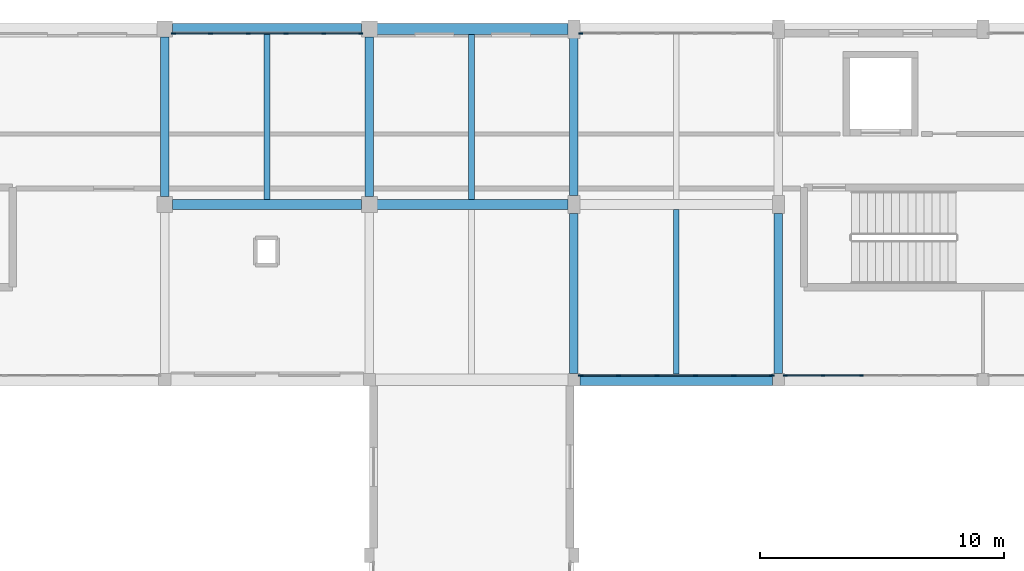
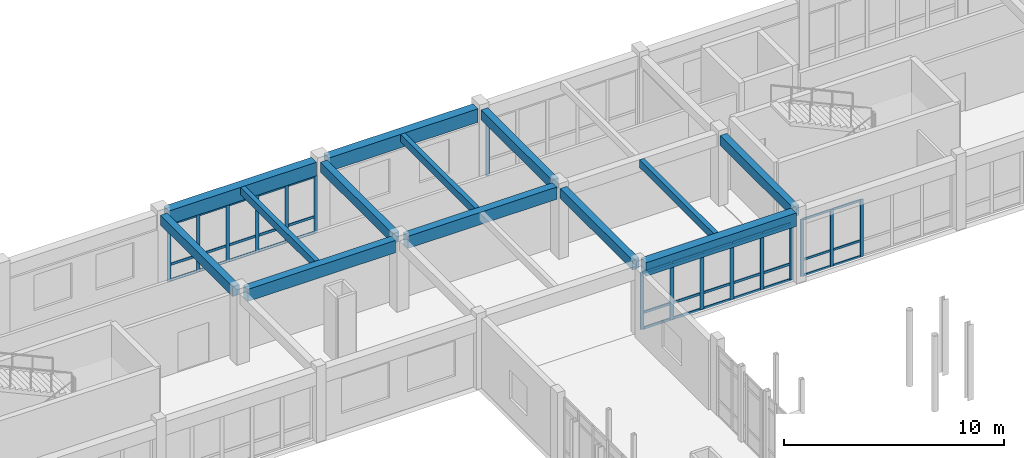
# One storey, part 48 of 89: 52 members, 13 beams, 4 elements without a shape of their own.
"""IFC4 building model written with IfcOpenShell, lengths in metres."""

import ifcopenshell
import ifcopenshell.guid

model = None  # the IFC model being written
_history = None  # IfcOwnerHistory: only IFC2X3 demands one
_inside = {}  # id of a spatial element -> (the spatial element, [elements in it])
_under = {}  # id of a project, library or spatial element -> (it, [spatial elements below it])
_declared = {}  # id of a project -> (the project, [libraries it declares])
_typed = {}  # id of a type object -> (the type object, [elements of that type])
_made_of = {}  # id of a material, layer set ... -> (it, [elements and type objects made of it])


def new_model(schema):
    """Start an empty IFC model of exactly this schema.

    Asked for "IFC4X3", IfcOpenShell would pick the latest addendum, in which some entities
    have other attributes; the version numbers below select the first issue.
    IFC2X3 requires an IfcOwnerHistory on every rooted entity: one is made here for all.
    """
    global model, _history
    if schema == "IFC4X3":
        model = ifcopenshell.file(schema_version=(4, 3, 0, 0))
    else:
        model = ifcopenshell.file(schema=schema)
    _inside.clear()
    _under.clear()
    _declared.clear()
    _typed.clear()
    _made_of.clear()
    _history = None
    if model.schema == "IFC2X3":
        org = make("IfcOrganization", Name="unknown")
        user = make(
            "IfcPersonAndOrganization",
            ThePerson=make("IfcPerson", FamilyName="unknown"),
            TheOrganization=org,
        )
        app = make(
            "IfcApplication",
            ApplicationDeveloper=org,
            Version="unknown",
            ApplicationFullName="unknown",
            ApplicationIdentifier="unknown",
        )
        _history = make(
            "IfcOwnerHistory",
            OwningUser=user,
            OwningApplication=app,
            ChangeAction="ADDED",
            CreationDate=0,
        )
    return model


def make(cls, **values):
    """One entity of the class cls with the attributes given. An attribute that is None is left unset."""
    return model.create_entity(
        cls, **{name: value for name, value in values.items() if value is not None}
    )


def rooted(cls, **values):
    """An entity with a GlobalId (a new one), such as an element, a storey or a relation."""
    return make(cls, GlobalId=ifcopenshell.guid.new(), OwnerHistory=_history, **values)


def si_unit(unit_type, name, prefix=None):
    """IfcSIUnit, for example si_unit("LENGTHUNIT", "METRE", prefix="MILLI")."""
    return make("IfcSIUnit", UnitType=unit_type, Prefix=prefix, Name=name)


def assignment(units):
    """IfcUnitAssignment: the units of a project."""
    return None if units is None else make("IfcUnitAssignment", Units=units)


def point(xyz):
    """IfcCartesianPoint."""
    return None if xyz is None else make("IfcCartesianPoint", Coordinates=xyz)


def direction(xyz):
    """IfcDirection."""
    return None if xyz is None else make("IfcDirection", DirectionRatios=xyz)


def frame(location, z_axis=None, x_axis=None):
    """IfcAxis2Placement3D, a coordinate frame: its origin and axes. An axis left out is left unset."""
    return make(
        "IfcAxis2Placement3D",
        Location=point(location),
        Axis=direction(z_axis),
        RefDirection=direction(x_axis),
    )


def frame_2d(location, x_axis=None):
    """IfcAxis2Placement2D, a coordinate frame in the plane: its origin and x axis."""
    return make(
        "IfcAxis2Placement2D", Location=point(location), RefDirection=direction(x_axis)
    )


def origin():
    """The frame at (0, 0, 0) with its axes left unset."""
    return frame((0.0, 0.0, 0.0))


def origin_2d():
    """The frame at (0, 0) in the plane with its x axis left unset."""
    return frame_2d((0.0, 0.0))


def place(relative_to, where):
    """IfcLocalPlacement: puts the frame where relative to a parent placement (None: the world)."""
    return make(
        "IfcLocalPlacement", PlacementRelTo=relative_to, RelativePlacement=where
    )


def context(
    kind, dimensions, precision=None, world=None, true_north=None, identifier=None
):
    """IfcGeometricRepresentationContext, for example the 3D "Model" context."""
    return make(
        "IfcGeometricRepresentationContext",
        ContextIdentifier=identifier,
        ContextType=kind,
        CoordinateSpaceDimension=dimensions,
        Precision=precision,
        WorldCoordinateSystem=world,
        TrueNorth=true_north,
    )


def subcontext(parent, identifier, kind, view, scale=None):
    """IfcGeometricRepresentationSubContext, for example "Body" below "Model"."""
    return make(
        "IfcGeometricRepresentationSubContext",
        ContextIdentifier=identifier,
        ContextType=kind,
        ParentContext=parent,
        TargetScale=scale,
        TargetView=view,
    )


def project(units=None, contexts=None):
    """IfcProject with its units and contexts."""
    return rooted(
        "IfcProject",
        Name="project",
        RepresentationContexts=contexts,
        UnitsInContext=assignment(units),
    )


def spatial(cls, under=None, at=None, **own):
    """A site, building, storey or space (cls), placed at a placement, below another one or the project."""
    s = rooted(cls, ObjectPlacement=at, **own)
    if under is not None:
        _under.setdefault(under.id(), (under, []))[1].append(s)
    return s


def profile(cls, at=None, kind="AREA", **sizes):
    """A parametric profile (cls). Its sizes go by their IFC names, for example OverallWidth=200.0."""
    return make(cls, ProfileType=kind, Position=at, **sizes)


def rectangle(**sizes):
    """IfcRectangleProfileDef."""
    return profile("IfcRectangleProfileDef", **sizes)


def extrude(swept, where, along, depth):
    """IfcExtrudedAreaSolid: the profile swept, set in the frame where, extruded along a direction by depth."""
    return make(
        "IfcExtrudedAreaSolid",
        SweptArea=swept,
        Position=where,
        ExtrudedDirection=direction(along),
        Depth=depth,
    )


def shape(context_of_items, identifier, shape_type, items):
    """IfcShapeRepresentation: the items that make up one representation, for example the "Body"."""
    return make(
        "IfcShapeRepresentation",
        ContextOfItems=context_of_items,
        RepresentationIdentifier=identifier,
        RepresentationType=shape_type,
        Items=items,
    )


def material(Name=None, Category=None):
    """IfcMaterial."""
    return make("IfcMaterial", Name=Name, Category=Category)


def material_profile(
    of_material, cross_section, Name=None, Category=None, Priority=None
):
    """IfcMaterialProfile: a cross section and its material."""
    return make(
        "IfcMaterialProfile",
        Name=Name,
        Material=of_material,
        Profile=cross_section,
        Priority=Priority,
        Category=Category,
    )


def profile_set(profiles, Name=None, composite=None):
    """IfcMaterialProfileSet."""
    return make(
        "IfcMaterialProfileSet",
        Name=Name,
        MaterialProfiles=profiles,
        CompositeProfile=composite,
    )


def made_of(thing, what):
    """Note that an element or type object is made of a material, layer set ...; save() writes the relation."""
    if what is not None:
        _made_of.setdefault(what.id(), (what, []))[1].append(thing)
    return thing


def type_object(cls, material=None, **own):
    """A type object (cls), such as IfcWallType, which elements share."""
    return made_of(rooted(cls, **own), material)


def element(
    cls,
    number,
    at=None,
    inside=None,
    cuts=None,
    type_object=None,
    material=None,
    context=None,
    identifier="Body",
    shape_type=None,
    held_by="IfcProductDefinitionShape",
    body=None,
    shapes=None,
    **own,
):
    """One element of the class cls, such as IfcWall. Its Tag is "e" and its number.

    at: its placement. inside: the storey or other place that contains it. cuts: it is an
    opening in that element (IfcRelVoidsElement). A single representation is given by context,
    identifier, shape_type and body (its items); several are given by shapes. held_by: the class
    of the entity that holds the representations. save() writes the other relations.
    """
    e = rooted(cls, Tag="e%d" % number, ObjectPlacement=at, **own)
    if body is not None:
        shapes = [shape(context, identifier, shape_type, body)]
    if shapes is not None:
        e.Representation = make(held_by, Representations=shapes)
    if inside is not None:
        _inside.setdefault(inside.id(), (inside, []))[1].append(e)
    if cuts is not None:
        rooted(
            "IfcRelVoidsElement", RelatingBuildingElement=cuts, RelatedOpeningElement=e
        )
    if type_object is not None:
        _typed.setdefault(type_object.id(), (type_object, []))[1].append(e)
    return made_of(e, material)


def aggregate(whole, parts):
    """IfcRelAggregates: a whole, such as a stair, and the parts it consists of."""
    return rooted("IfcRelAggregates", RelatingObject=whole, RelatedObjects=parts)


def save(model, path):
    """Write the relations noted so far, then the file.

    IfcRelAggregates (storeys below a building ...), IfcRelContainedInSpatialStructure (elements
    in a storey), IfcRelDefinesByType, IfcRelAssociatesMaterial and IfcRelDeclares: one each for
    every whole, place, type object, material and project.
    """
    for whole, parts in _under.values():
        aggregate(whole, parts)
    for where, things in _inside.values():
        rooted(
            "IfcRelContainedInSpatialStructure",
            RelatedElements=things,
            RelatingStructure=where,
        )
    for kind, things in _typed.values():
        rooted("IfcRelDefinesByType", RelatedObjects=things, RelatingType=kind)
    for what, things in _made_of.values():
        rooted("IfcRelAssociatesMaterial", RelatedObjects=things, RelatingMaterial=what)
    for by, libraries in _declared.values():
        rooted("IfcRelDeclares", RelatingContext=by, RelatedDefinitions=libraries)
    model.write(path)


model = new_model("IFC4")

# Units and contexts
model_context = context("Model", 3, precision=1e-05, world=origin(), true_north=direction((0.0, 1.0)))
body_context = subcontext(model_context, "Body", "Model", "MODEL_VIEW")
ifc_project = project(units=[si_unit("LENGTHUNIT", "METRE"), si_unit("AREAUNIT", "SQUARE_METRE"), si_unit("VOLUMEUNIT", "CUBIC_METRE"), si_unit("PLANEANGLEUNIT", "RADIAN"), si_unit("MASSUNIT", "GRAM", prefix="KILO")], contexts=[model_context])

# Site, building, storey
site_placement = place(None, origin())
site = spatial("IfcSite", under=ifc_project, at=site_placement, CompositionType="ELEMENT")
building_placement = place(site_placement, origin())
building = spatial("IfcBuilding", under=site, at=building_placement, Name="Malvenik Polytechnic", CompositionType="ELEMENT")
storey_placement = place(building_placement, frame((0.0, 0.0, 13.5)))
storey = spatial("IfcBuildingStorey", under=building, at=storey_placement, Name="L03", CompositionType="ELEMENT", Elevation=13.5)

# Curtain wall, member
ifc_material_1 = material(Name="Anodised aluminium 6060-T6", Category="aluminium")
curtain_wall_type = type_object("IfcCurtainWallType", Name="ARC-CW-CW-02", PredefinedType="NOTDEFINED", material=ifc_material_1)
curtain_wall_1_placement = place(storey_placement, origin())
curtain_wall_1 = element("IfcCurtainWall", 1, at=curtain_wall_1_placement, inside=storey, type_object=curtain_wall_type, Name="Unitised Curtain Wall CW-02 L03 #179", PredefinedType="NOTDEFINED")
ifc_material_2 = material(Name="Anodised aluminium", Category="aluminium")
ifc_material_profile_1 = material_profile(ifc_material_2, rectangle(XDim=0.06005859375, YDim=0.159912109375, at=origin_2d()), Name="ALU MULLION 60x160")
ifc_profile_set_1 = profile_set([ifc_material_profile_1], Name="Anodised aluminium")
member_type_1 = type_object("IfcMemberType", Name="ARC-CWM-160", PredefinedType="MULLION", material=ifc_profile_set_1)
member_1_placement = place(storey_placement, frame((84.278076171875, 129.429931640625, 0.0), z_axis=(0.0, 0.0, 1.0), x_axis=(0.0, 1.0, 0.0)))
member_1 = element("IfcMember", 2, at=member_1_placement, type_object=member_type_1, Name="CW-02 mullion 1", PredefinedType="MULLION", context=body_context, shape_type="SweptSolid", body=[
    extrude(rectangle(XDim=0.06005859375, YDim=0.159912109375, at=origin_2d()), origin(), (0.0, 0.0, 1.0), 3.159912109375),
])
aggregate(curtain_wall_1, [member_1])

# Curtain wall, members
curtain_wall_2_placement = place(storey_placement, origin())
curtain_wall_2 = element("IfcCurtainWall", 3, at=curtain_wall_2_placement, inside=storey, type_object=curtain_wall_type, Name="Unitised Curtain Wall CW-02 L03 #185", PredefinedType="NOTDEFINED")
member_2_placement = place(storey_placement, frame((95.8095703125, 115.3701171875, 0.0), z_axis=(0.0, 0.0, 1.0), x_axis=(0.0, -1.0, 0.0)))
member_2 = element("IfcMember", 4, at=member_2_placement, type_object=member_type_1, Name="CW-02 mullion 4", PredefinedType="MULLION", context=body_context, shape_type="SweptSolid", body=[
    extrude(rectangle(XDim=0.06005859375, YDim=0.159912109375, at=origin_2d()), origin(), (0.0, 0.0, 1.0), 3.159912109375),
])
member_3_placement = place(storey_placement, frame((94.228759765625, 115.3701171875, 0.0), z_axis=(0.0, 0.0, 1.0), x_axis=(0.0, -1.0, 0.0)))
member_3 = element("IfcMember", 5, at=member_3_placement, type_object=member_type_1, Name="CW-02 mullion 5", PredefinedType="MULLION", context=body_context, shape_type="SweptSolid", body=[
    extrude(rectangle(XDim=0.06005859375, YDim=0.159912109375, at=origin_2d()), origin(), (0.0, 0.0, 1.0), 3.159912109375),
])
member_4_placement = place(storey_placement, frame((92.677978515625, 115.3701171875, 0.0), z_axis=(0.0, 0.0, 1.0), x_axis=(0.0, -1.0, 0.0)))
member_4 = element("IfcMember", 6, at=member_4_placement, type_object=member_type_1, Name="CW-02 mullion 6", PredefinedType="MULLION", context=body_context, shape_type="SweptSolid", body=[
    extrude(rectangle(XDim=0.06005859375, YDim=0.159912109375, at=origin_2d()), origin(), (0.0, 0.0, 1.0), 3.159912109375),
])

curtain_wall_3_placement = place(storey_placement, origin())
curtain_wall_3 = element("IfcCurtainWall", 7, at=curtain_wall_3_placement, inside=storey, type_object=curtain_wall_type, Name="Unitised Curtain Wall CW-02 L03 #178", PredefinedType="NOTDEFINED")
ifc_material_profile_2 = material_profile(ifc_material_2, rectangle(XDim=0.06005859375, YDim=0.179931640625, at=origin_2d()), Name="ALU MULLION 60x180")
ifc_profile_set_2 = profile_set([ifc_material_profile_2], Name="Anodised aluminium")
member_type_2 = type_object("IfcMemberType", Name="ARC-CWM-180", PredefinedType="MULLION", material=ifc_profile_set_2)
member_5_placement = place(storey_placement, frame((67.552978515625, 129.429931640625, 0.0), z_axis=(0.0, 0.0, 1.0), x_axis=(0.0, 1.0, 0.0)))
member_5 = element("IfcMember", 8, at=member_5_placement, type_object=member_type_2, Name="CW-02 mullion 1", PredefinedType="MULLION", context=body_context, shape_type="SweptSolid", body=[
    extrude(rectangle(XDim=0.06005859375, YDim=0.179931640625, at=origin_2d()), origin(), (0.0, 0.0, 1.0), 3.159912109375),
])
member_6_placement = place(storey_placement, frame((69.07373046875, 129.429931640625, 0.0), z_axis=(0.0, 0.0, 1.0), x_axis=(0.0, 1.0, 0.0)))
member_6 = element("IfcMember", 9, at=member_6_placement, type_object=member_type_2, Name="CW-02 mullion 2", PredefinedType="MULLION", context=body_context, shape_type="SweptSolid", body=[
    extrude(rectangle(XDim=0.06005859375, YDim=0.179931640625, at=origin_2d()), origin(), (0.0, 0.0, 1.0), 3.159912109375),
])
member_7_placement = place(storey_placement, frame((70.62451171875, 129.429931640625, 0.0), z_axis=(0.0, 0.0, 1.0), x_axis=(0.0, 1.0, 0.0)))
member_7 = element("IfcMember", 10, at=member_7_placement, type_object=member_type_2, Name="CW-02 mullion 3", PredefinedType="MULLION", context=body_context, shape_type="SweptSolid", body=[
    extrude(rectangle(XDim=0.06005859375, YDim=0.179931640625, at=origin_2d()), origin(), (0.0, 0.0, 1.0), 3.159912109375),
])
member_8_placement = place(storey_placement, frame((72.17529296875, 129.429931640625, 0.0), z_axis=(0.0, 0.0, 1.0), x_axis=(0.0, 1.0, 0.0)))
member_8 = element("IfcMember", 11, at=member_8_placement, type_object=member_type_2, Name="CW-02 mullion 4", PredefinedType="MULLION", context=body_context, shape_type="SweptSolid", body=[
    extrude(rectangle(XDim=0.06005859375, YDim=0.179931640625, at=origin_2d()), origin(), (0.0, 0.0, 1.0), 3.159912109375),
])
member_9_placement = place(storey_placement, frame((73.726318359375, 129.429931640625, 0.0), z_axis=(0.0, 0.0, 1.0), x_axis=(0.0, 1.0, 0.0)))
member_9 = element("IfcMember", 12, at=member_9_placement, type_object=member_type_2, Name="CW-02 mullion 5", PredefinedType="MULLION", context=body_context, shape_type="SweptSolid", body=[
    extrude(rectangle(XDim=0.06005859375, YDim=0.179931640625, at=origin_2d()), origin(), (0.0, 0.0, 1.0), 3.159912109375),
])
member_10_placement = place(storey_placement, frame((75.2470703125, 129.429931640625, 0.0), z_axis=(0.0, 0.0, 1.0), x_axis=(0.0, 1.0, 0.0)))
member_10 = element("IfcMember", 13, at=member_10_placement, type_object=member_type_2, Name="CW-02 mullion 6", PredefinedType="MULLION", context=body_context, shape_type="SweptSolid", body=[
    extrude(rectangle(XDim=0.06005859375, YDim=0.179931640625, at=origin_2d()), origin(), (0.0, 0.0, 1.0), 3.159912109375),
])

curtain_wall_4_placement = place(storey_placement, origin())
curtain_wall_4 = element("IfcCurtainWall", 14, at=curtain_wall_4_placement, inside=storey, type_object=curtain_wall_type, Name="Unitised Curtain Wall CW-02 L03 #186", PredefinedType="NOTDEFINED")
ifc_material_profile_3 = material_profile(ifc_material_2, rectangle(XDim=0.06005859375, YDim=0.199951171875, at=origin_2d()), Name="ALU MULLION 60x200")
ifc_profile_set_3 = profile_set([ifc_material_profile_3], Name="Anodised aluminium")
member_type_3 = type_object("IfcMemberType", Name="ARC-CWM-200", PredefinedType="MULLION", material=ifc_profile_set_3)
member_11_placement = place(storey_placement, frame((92.1220703125, 115.3701171875, 0.0), z_axis=(0.0, 0.0, 1.0), x_axis=(0.0, -1.0, 0.0)))
member_11 = element("IfcMember", 15, at=member_11_placement, type_object=member_type_3, Name="CW-02 mullion 1", PredefinedType="MULLION", context=body_context, shape_type="SweptSolid", body=[
    extrude(rectangle(XDim=0.06005859375, YDim=0.199951171875, at=origin_2d()), origin(), (0.0, 0.0, 1.0), 3.159912109375),
])
member_12_placement = place(storey_placement, frame((90.5712890625, 115.3701171875, 0.0), z_axis=(0.0, 0.0, 1.0), x_axis=(0.0, -1.0, 0.0)))
member_12 = element("IfcMember", 16, at=member_12_placement, type_object=member_type_3, Name="CW-02 mullion 2", PredefinedType="MULLION", context=body_context, shape_type="SweptSolid", body=[
    extrude(rectangle(XDim=0.06005859375, YDim=0.199951171875, at=origin_2d()), origin(), (0.0, 0.0, 1.0), 3.159912109375),
])
member_13_placement = place(storey_placement, frame((88.990478515625, 115.3701171875, 0.0), z_axis=(0.0, 0.0, 1.0), x_axis=(0.0, -1.0, 0.0)))
member_13 = element("IfcMember", 17, at=member_13_placement, type_object=member_type_3, Name="CW-02 mullion 3", PredefinedType="MULLION", context=body_context, shape_type="SweptSolid", body=[
    extrude(rectangle(XDim=0.06005859375, YDim=0.199951171875, at=origin_2d()), origin(), (0.0, 0.0, 1.0), 3.159912109375),
])
member_14_placement = place(storey_placement, frame((87.40966796875, 115.3701171875, 0.0), z_axis=(0.0, 0.0, 1.0), x_axis=(0.0, -1.0, 0.0)))
member_14 = element("IfcMember", 18, at=member_14_placement, type_object=member_type_3, Name="CW-02 mullion 4", PredefinedType="MULLION", context=body_context, shape_type="SweptSolid", body=[
    extrude(rectangle(XDim=0.06005859375, YDim=0.199951171875, at=origin_2d()), origin(), (0.0, 0.0, 1.0), 3.159912109375),
])
member_15_placement = place(storey_placement, frame((85.828857421875, 115.3701171875, 0.0), z_axis=(0.0, 0.0, 1.0), x_axis=(0.0, -1.0, 0.0)))
member_15 = element("IfcMember", 19, at=member_15_placement, type_object=member_type_3, Name="CW-02 mullion 5", PredefinedType="MULLION", context=body_context, shape_type="SweptSolid", body=[
    extrude(rectangle(XDim=0.06005859375, YDim=0.199951171875, at=origin_2d()), origin(), (0.0, 0.0, 1.0), 3.159912109375),
])
member_16_placement = place(storey_placement, frame((84.278076171875, 115.3701171875, 0.0), z_axis=(0.0, 0.0, 1.0), x_axis=(0.0, -1.0, 0.0)))
member_16 = element("IfcMember", 20, at=member_16_placement, type_object=member_type_3, Name="CW-02 mullion 6", PredefinedType="MULLION", context=body_context, shape_type="SweptSolid", body=[
    extrude(rectangle(XDim=0.06005859375, YDim=0.199951171875, at=origin_2d()), origin(), (0.0, 0.0, 1.0), 3.159912109375),
])

# Member
ifc_material_profile_4 = material_profile(ifc_material_2, rectangle(XDim=0.06005859375, YDim=0.1201171875, at=origin_2d()), Name="ALU TRANSOM 60x120")
ifc_profile_set_4 = profile_set([ifc_material_profile_4], Name="Anodised aluminium")
member_type_4 = type_object("IfcMemberType", Name="ARC-CWT-120", PredefinedType="USERDEFINED", material=ifc_profile_set_4)
member_17_placement = place(storey_placement, frame((95.779541015625, 115.3701171875, 0.030029296875), z_axis=(-1.0, 0.0, 0.0), x_axis=(0.0, -1.0, 0.0)))
member_17 = element("IfcMember", 21, at=member_17_placement, type_object=member_type_4, Name="CW-02 transom 4.1", ObjectType="TRANSOM", PredefinedType="USERDEFINED", context=body_context, shape_type="SweptSolid", body=[
    extrude(rectangle(XDim=0.06005859375, YDim=0.1201171875, at=origin_2d()), origin(), (0.0, 0.0, 1.0), 1.520751953125),
])

member_18_placement = place(storey_placement, frame((95.779541015625, 115.3701171875, 0.89990234375), z_axis=(-1.0, 0.0, 0.0), x_axis=(0.0, -1.0, 0.0)))
member_18 = element("IfcMember", 22, at=member_18_placement, type_object=member_type_4, Name="CW-02 transom 4.2", ObjectType="TRANSOM", PredefinedType="USERDEFINED", context=body_context, shape_type="SweptSolid", body=[
    extrude(rectangle(XDim=0.06005859375, YDim=0.1201171875, at=origin_2d()), origin(), (0.0, 0.0, 1.0), 1.520751953125),
])

member_19_placement = place(storey_placement, frame((95.779541015625, 115.3701171875, 3.1298828125), z_axis=(-1.0, 0.0, 0.0), x_axis=(0.0, -1.0, 0.0)))
member_19 = element("IfcMember", 23, at=member_19_placement, type_object=member_type_4, Name="CW-02 transom 4.3", ObjectType="TRANSOM", PredefinedType="USERDEFINED", context=body_context, shape_type="SweptSolid", body=[
    extrude(rectangle(XDim=0.06005859375, YDim=0.1201171875, at=origin_2d()), origin(), (0.0, 0.0, 1.0), 1.520751953125),
])

member_20_placement = place(storey_placement, frame((94.19873046875, 115.3701171875, 0.030029296875), z_axis=(-1.0, 0.0, 0.0), x_axis=(0.0, -1.0, 0.0)))
member_20 = element("IfcMember", 24, at=member_20_placement, type_object=member_type_4, Name="CW-02 transom 5.1", ObjectType="TRANSOM", PredefinedType="USERDEFINED", context=body_context, shape_type="SweptSolid", body=[
    extrude(rectangle(XDim=0.06005859375, YDim=0.1201171875, at=origin_2d()), origin(), (0.0, 0.0, 1.0), 1.49072265625),
])

member_21_placement = place(storey_placement, frame((94.19873046875, 115.3701171875, 0.89990234375), z_axis=(-1.0, 0.0, 0.0), x_axis=(0.0, -1.0, 0.0)))
member_21 = element("IfcMember", 25, at=member_21_placement, type_object=member_type_4, Name="CW-02 transom 5.2", ObjectType="TRANSOM", PredefinedType="USERDEFINED", context=body_context, shape_type="SweptSolid", body=[
    extrude(rectangle(XDim=0.06005859375, YDim=0.1201171875, at=origin_2d()), origin(), (0.0, 0.0, 1.0), 1.49072265625),
])

member_22_placement = place(storey_placement, frame((94.19873046875, 115.3701171875, 3.1298828125), z_axis=(-1.0, 0.0, 0.0), x_axis=(0.0, -1.0, 0.0)))
member_22 = element("IfcMember", 26, at=member_22_placement, type_object=member_type_4, Name="CW-02 transom 5.3", ObjectType="TRANSOM", PredefinedType="USERDEFINED", context=body_context, shape_type="SweptSolid", body=[
    extrude(rectangle(XDim=0.06005859375, YDim=0.1201171875, at=origin_2d()), origin(), (0.0, 0.0, 1.0), 1.49072265625),
])

aggregate(curtain_wall_2, [member_2, member_3, member_4, member_17, member_18, member_19, member_20, member_21, member_22])

ifc_material_profile_5 = material_profile(ifc_material_2, rectangle(XDim=0.06005859375, YDim=0.139892578125, at=origin_2d()), Name="ALU TRANSOM 60x140")
ifc_profile_set_5 = profile_set([ifc_material_profile_5], Name="Anodised aluminium")
member_type_5 = type_object("IfcMemberType", Name="ARC-CWT-140", PredefinedType="USERDEFINED", material=ifc_profile_set_5)
member_23_placement = place(storey_placement, frame((67.5830078125, 129.429931640625, 0.030029296875), z_axis=(1.0, 0.0, 0.0), x_axis=(0.0, 1.0, 0.0)))
member_23 = element("IfcMember", 27, at=member_23_placement, type_object=member_type_5, Name="CW-02 transom 1.1", ObjectType="TRANSOM", PredefinedType="USERDEFINED", context=body_context, shape_type="SweptSolid", body=[
    extrude(rectangle(XDim=0.06005859375, YDim=0.139892578125, at=origin_2d()), origin(), (0.0, 0.0, 1.0), 1.460693359375),
])

member_24_placement = place(storey_placement, frame((67.5830078125, 129.429931640625, 0.89990234375), z_axis=(1.0, 0.0, 0.0), x_axis=(0.0, 1.0, 0.0)))
member_24 = element("IfcMember", 28, at=member_24_placement, type_object=member_type_5, Name="CW-02 transom 1.2", ObjectType="TRANSOM", PredefinedType="USERDEFINED", context=body_context, shape_type="SweptSolid", body=[
    extrude(rectangle(XDim=0.06005859375, YDim=0.139892578125, at=origin_2d()), origin(), (0.0, 0.0, 1.0), 1.460693359375),
])

member_25_placement = place(storey_placement, frame((67.5830078125, 129.429931640625, 3.1298828125), z_axis=(1.0, 0.0, 0.0), x_axis=(0.0, 1.0, 0.0)))
member_25 = element("IfcMember", 29, at=member_25_placement, type_object=member_type_5, Name="CW-02 transom 1.3", ObjectType="TRANSOM", PredefinedType="USERDEFINED", context=body_context, shape_type="SweptSolid", body=[
    extrude(rectangle(XDim=0.06005859375, YDim=0.139892578125, at=origin_2d()), origin(), (0.0, 0.0, 1.0), 1.460693359375),
])

member_26_placement = place(storey_placement, frame((69.103759765625, 129.429931640625, 0.030029296875), z_axis=(1.0, 0.0, 0.0), x_axis=(0.0, 1.0, 0.0)))
member_26 = element("IfcMember", 30, at=member_26_placement, type_object=member_type_5, Name="CW-02 transom 2.1", ObjectType="TRANSOM", PredefinedType="USERDEFINED", context=body_context, shape_type="SweptSolid", body=[
    extrude(rectangle(XDim=0.06005859375, YDim=0.139892578125, at=origin_2d()), origin(), (0.0, 0.0, 1.0), 1.49072265625),
])

member_27_placement = place(storey_placement, frame((69.103759765625, 129.429931640625, 0.89990234375), z_axis=(1.0, 0.0, 0.0), x_axis=(0.0, 1.0, 0.0)))
member_27 = element("IfcMember", 31, at=member_27_placement, type_object=member_type_5, Name="CW-02 transom 2.2", ObjectType="TRANSOM", PredefinedType="USERDEFINED", context=body_context, shape_type="SweptSolid", body=[
    extrude(rectangle(XDim=0.06005859375, YDim=0.139892578125, at=origin_2d()), origin(), (0.0, 0.0, 1.0), 1.49072265625),
])

member_28_placement = place(storey_placement, frame((69.103759765625, 129.429931640625, 3.1298828125), z_axis=(1.0, 0.0, 0.0), x_axis=(0.0, 1.0, 0.0)))
member_28 = element("IfcMember", 32, at=member_28_placement, type_object=member_type_5, Name="CW-02 transom 2.3", ObjectType="TRANSOM", PredefinedType="USERDEFINED", context=body_context, shape_type="SweptSolid", body=[
    extrude(rectangle(XDim=0.06005859375, YDim=0.139892578125, at=origin_2d()), origin(), (0.0, 0.0, 1.0), 1.49072265625),
])

member_29_placement = place(storey_placement, frame((70.654541015625, 129.429931640625, 0.030029296875), z_axis=(1.0, 0.0, 0.0), x_axis=(0.0, 1.0, 0.0)))
member_29 = element("IfcMember", 33, at=member_29_placement, type_object=member_type_5, Name="CW-02 transom 3.1", ObjectType="TRANSOM", PredefinedType="USERDEFINED", context=body_context, shape_type="SweptSolid", body=[
    extrude(rectangle(XDim=0.06005859375, YDim=0.139892578125, at=origin_2d()), origin(), (0.0, 0.0, 1.0), 1.490966796875),
])

member_30_placement = place(storey_placement, frame((70.654541015625, 129.429931640625, 0.89990234375), z_axis=(1.0, 0.0, 0.0), x_axis=(0.0, 1.0, 0.0)))
member_30 = element("IfcMember", 34, at=member_30_placement, type_object=member_type_5, Name="CW-02 transom 3.2", ObjectType="TRANSOM", PredefinedType="USERDEFINED", context=body_context, shape_type="SweptSolid", body=[
    extrude(rectangle(XDim=0.06005859375, YDim=0.139892578125, at=origin_2d()), origin(), (0.0, 0.0, 1.0), 1.490966796875),
])

member_31_placement = place(storey_placement, frame((70.654541015625, 129.429931640625, 3.1298828125), z_axis=(1.0, 0.0, 0.0), x_axis=(0.0, 1.0, 0.0)))
member_31 = element("IfcMember", 35, at=member_31_placement, type_object=member_type_5, Name="CW-02 transom 3.3", ObjectType="TRANSOM", PredefinedType="USERDEFINED", context=body_context, shape_type="SweptSolid", body=[
    extrude(rectangle(XDim=0.06005859375, YDim=0.139892578125, at=origin_2d()), origin(), (0.0, 0.0, 1.0), 1.490966796875),
])

member_32_placement = place(storey_placement, frame((72.205322265625, 129.429931640625, 0.030029296875), z_axis=(1.0, 0.0, 0.0), x_axis=(0.0, 1.0, 0.0)))
member_32 = element("IfcMember", 36, at=member_32_placement, type_object=member_type_5, Name="CW-02 transom 4.1", ObjectType="TRANSOM", PredefinedType="USERDEFINED", context=body_context, shape_type="SweptSolid", body=[
    extrude(rectangle(XDim=0.06005859375, YDim=0.139892578125, at=origin_2d()), origin(), (0.0, 0.0, 1.0), 1.490966796875),
])

member_33_placement = place(storey_placement, frame((72.205322265625, 129.429931640625, 0.89990234375), z_axis=(1.0, 0.0, 0.0), x_axis=(0.0, 1.0, 0.0)))
member_33 = element("IfcMember", 37, at=member_33_placement, type_object=member_type_5, Name="CW-02 transom 4.2", ObjectType="TRANSOM", PredefinedType="USERDEFINED", context=body_context, shape_type="SweptSolid", body=[
    extrude(rectangle(XDim=0.06005859375, YDim=0.139892578125, at=origin_2d()), origin(), (0.0, 0.0, 1.0), 1.490966796875),
])

member_34_placement = place(storey_placement, frame((72.205322265625, 129.429931640625, 3.1298828125), z_axis=(1.0, 0.0, 0.0), x_axis=(0.0, 1.0, 0.0)))
member_34 = element("IfcMember", 38, at=member_34_placement, type_object=member_type_5, Name="CW-02 transom 4.3", ObjectType="TRANSOM", PredefinedType="USERDEFINED", context=body_context, shape_type="SweptSolid", body=[
    extrude(rectangle(XDim=0.06005859375, YDim=0.139892578125, at=origin_2d()), origin(), (0.0, 0.0, 1.0), 1.490966796875),
])

member_35_placement = place(storey_placement, frame((73.756103515625, 129.429931640625, 0.030029296875), z_axis=(1.0, 0.0, 0.0), x_axis=(0.0, 1.0, 0.0)))
member_35 = element("IfcMember", 39, at=member_35_placement, type_object=member_type_5, Name="CW-02 transom 5.1", ObjectType="TRANSOM", PredefinedType="USERDEFINED", context=body_context, shape_type="SweptSolid", body=[
    extrude(rectangle(XDim=0.06005859375, YDim=0.139892578125, at=origin_2d()), origin(), (0.0, 0.0, 1.0), 1.4609375),
])

member_36_placement = place(storey_placement, frame((73.756103515625, 129.429931640625, 0.89990234375), z_axis=(1.0, 0.0, 0.0), x_axis=(0.0, 1.0, 0.0)))
member_36 = element("IfcMember", 40, at=member_36_placement, type_object=member_type_5, Name="CW-02 transom 5.2", ObjectType="TRANSOM", PredefinedType="USERDEFINED", context=body_context, shape_type="SweptSolid", body=[
    extrude(rectangle(XDim=0.06005859375, YDim=0.139892578125, at=origin_2d()), origin(), (0.0, 0.0, 1.0), 1.4609375),
])

member_37_placement = place(storey_placement, frame((73.756103515625, 129.429931640625, 3.1298828125), z_axis=(1.0, 0.0, 0.0), x_axis=(0.0, 1.0, 0.0)))
member_37 = element("IfcMember", 41, at=member_37_placement, type_object=member_type_5, Name="CW-02 transom 5.3", ObjectType="TRANSOM", PredefinedType="USERDEFINED", context=body_context, shape_type="SweptSolid", body=[
    extrude(rectangle(XDim=0.06005859375, YDim=0.139892578125, at=origin_2d()), origin(), (0.0, 0.0, 1.0), 1.4609375),
])

aggregate(curtain_wall_3, [member_5, member_6, member_7, member_8, member_9, member_10, member_23, member_24, member_25, member_26, member_27, member_28, member_29, member_30, member_31, member_32, member_33, member_34, member_35, member_36, member_37])

member_38_placement = place(storey_placement, frame((92.092041015625, 115.3701171875, 0.030029296875), z_axis=(-1.0, 0.0, 0.0), x_axis=(0.0, -1.0, 0.0)))
member_38 = element("IfcMember", 42, at=member_38_placement, type_object=member_type_5, Name="CW-02 transom 1.1", ObjectType="TRANSOM", PredefinedType="USERDEFINED", context=body_context, shape_type="SweptSolid", body=[
    extrude(rectangle(XDim=0.06005859375, YDim=0.139892578125, at=origin_2d()), origin(), (0.0, 0.0, 1.0), 1.49072265625),
])

member_39_placement = place(storey_placement, frame((92.092041015625, 115.3701171875, 0.89990234375), z_axis=(-1.0, 0.0, 0.0), x_axis=(0.0, -1.0, 0.0)))
member_39 = element("IfcMember", 43, at=member_39_placement, type_object=member_type_5, Name="CW-02 transom 1.2", ObjectType="TRANSOM", PredefinedType="USERDEFINED", context=body_context, shape_type="SweptSolid", body=[
    extrude(rectangle(XDim=0.06005859375, YDim=0.139892578125, at=origin_2d()), origin(), (0.0, 0.0, 1.0), 1.49072265625),
])

member_40_placement = place(storey_placement, frame((92.092041015625, 115.3701171875, 3.1298828125), z_axis=(-1.0, 0.0, 0.0), x_axis=(0.0, -1.0, 0.0)))
member_40 = element("IfcMember", 44, at=member_40_placement, type_object=member_type_5, Name="CW-02 transom 1.3", ObjectType="TRANSOM", PredefinedType="USERDEFINED", context=body_context, shape_type="SweptSolid", body=[
    extrude(rectangle(XDim=0.06005859375, YDim=0.139892578125, at=origin_2d()), origin(), (0.0, 0.0, 1.0), 1.49072265625),
])

member_41_placement = place(storey_placement, frame((90.541259765625, 115.3701171875, 0.030029296875), z_axis=(-1.0, 0.0, 0.0), x_axis=(0.0, -1.0, 0.0)))
member_41 = element("IfcMember", 45, at=member_41_placement, type_object=member_type_5, Name="CW-02 transom 2.1", ObjectType="TRANSOM", PredefinedType="USERDEFINED", context=body_context, shape_type="SweptSolid", body=[
    extrude(rectangle(XDim=0.06005859375, YDim=0.139892578125, at=origin_2d()), origin(), (0.0, 0.0, 1.0), 1.520751953125),
])

member_42_placement = place(storey_placement, frame((90.541259765625, 115.3701171875, 0.89990234375), z_axis=(-1.0, 0.0, 0.0), x_axis=(0.0, -1.0, 0.0)))
member_42 = element("IfcMember", 46, at=member_42_placement, type_object=member_type_5, Name="CW-02 transom 2.2", ObjectType="TRANSOM", PredefinedType="USERDEFINED", context=body_context, shape_type="SweptSolid", body=[
    extrude(rectangle(XDim=0.06005859375, YDim=0.139892578125, at=origin_2d()), origin(), (0.0, 0.0, 1.0), 1.520751953125),
])

member_43_placement = place(storey_placement, frame((90.541259765625, 115.3701171875, 3.1298828125), z_axis=(-1.0, 0.0, 0.0), x_axis=(0.0, -1.0, 0.0)))
member_43 = element("IfcMember", 47, at=member_43_placement, type_object=member_type_5, Name="CW-02 transom 2.3", ObjectType="TRANSOM", PredefinedType="USERDEFINED", context=body_context, shape_type="SweptSolid", body=[
    extrude(rectangle(XDim=0.06005859375, YDim=0.139892578125, at=origin_2d()), origin(), (0.0, 0.0, 1.0), 1.520751953125),
])

member_44_placement = place(storey_placement, frame((88.96044921875, 115.3701171875, 0.030029296875), z_axis=(-1.0, 0.0, 0.0), x_axis=(0.0, -1.0, 0.0)))
member_44 = element("IfcMember", 48, at=member_44_placement, type_object=member_type_5, Name="CW-02 transom 3.1", ObjectType="TRANSOM", PredefinedType="USERDEFINED", context=body_context, shape_type="SweptSolid", body=[
    extrude(rectangle(XDim=0.06005859375, YDim=0.139892578125, at=origin_2d()), origin(), (0.0, 0.0, 1.0), 1.520751953125),
])

member_45_placement = place(storey_placement, frame((88.96044921875, 115.3701171875, 0.89990234375), z_axis=(-1.0, 0.0, 0.0), x_axis=(0.0, -1.0, 0.0)))
member_45 = element("IfcMember", 49, at=member_45_placement, type_object=member_type_5, Name="CW-02 transom 3.2", ObjectType="TRANSOM", PredefinedType="USERDEFINED", context=body_context, shape_type="SweptSolid", body=[
    extrude(rectangle(XDim=0.06005859375, YDim=0.139892578125, at=origin_2d()), origin(), (0.0, 0.0, 1.0), 1.520751953125),
])

member_46_placement = place(storey_placement, frame((88.96044921875, 115.3701171875, 3.1298828125), z_axis=(-1.0, 0.0, 0.0), x_axis=(0.0, -1.0, 0.0)))
member_46 = element("IfcMember", 50, at=member_46_placement, type_object=member_type_5, Name="CW-02 transom 3.3", ObjectType="TRANSOM", PredefinedType="USERDEFINED", context=body_context, shape_type="SweptSolid", body=[
    extrude(rectangle(XDim=0.06005859375, YDim=0.139892578125, at=origin_2d()), origin(), (0.0, 0.0, 1.0), 1.520751953125),
])

member_47_placement = place(storey_placement, frame((87.379638671875, 115.3701171875, 0.030029296875), z_axis=(-1.0, 0.0, 0.0), x_axis=(0.0, -1.0, 0.0)))
member_47 = element("IfcMember", 51, at=member_47_placement, type_object=member_type_5, Name="CW-02 transom 4.1", ObjectType="TRANSOM", PredefinedType="USERDEFINED", context=body_context, shape_type="SweptSolid", body=[
    extrude(rectangle(XDim=0.06005859375, YDim=0.139892578125, at=origin_2d()), origin(), (0.0, 0.0, 1.0), 1.520751953125),
])

member_48_placement = place(storey_placement, frame((87.379638671875, 115.3701171875, 0.89990234375), z_axis=(-1.0, 0.0, 0.0), x_axis=(0.0, -1.0, 0.0)))
member_48 = element("IfcMember", 52, at=member_48_placement, type_object=member_type_5, Name="CW-02 transom 4.2", ObjectType="TRANSOM", PredefinedType="USERDEFINED", context=body_context, shape_type="SweptSolid", body=[
    extrude(rectangle(XDim=0.06005859375, YDim=0.139892578125, at=origin_2d()), origin(), (0.0, 0.0, 1.0), 1.520751953125),
])

member_49_placement = place(storey_placement, frame((87.379638671875, 115.3701171875, 3.1298828125), z_axis=(-1.0, 0.0, 0.0), x_axis=(0.0, -1.0, 0.0)))
member_49 = element("IfcMember", 53, at=member_49_placement, type_object=member_type_5, Name="CW-02 transom 4.3", ObjectType="TRANSOM", PredefinedType="USERDEFINED", context=body_context, shape_type="SweptSolid", body=[
    extrude(rectangle(XDim=0.06005859375, YDim=0.139892578125, at=origin_2d()), origin(), (0.0, 0.0, 1.0), 1.520751953125),
])

member_50_placement = place(storey_placement, frame((85.798828125, 115.3701171875, 0.030029296875), z_axis=(-1.0, 0.0, 0.0), x_axis=(0.0, -1.0, 0.0)))
member_50 = element("IfcMember", 54, at=member_50_placement, type_object=member_type_5, Name="CW-02 transom 5.1", ObjectType="TRANSOM", PredefinedType="USERDEFINED", context=body_context, shape_type="SweptSolid", body=[
    extrude(rectangle(XDim=0.06005859375, YDim=0.139892578125, at=origin_2d()), origin(), (0.0, 0.0, 1.0), 1.49072265625),
])

member_51_placement = place(storey_placement, frame((85.798828125, 115.3701171875, 0.89990234375), z_axis=(-1.0, 0.0, 0.0), x_axis=(0.0, -1.0, 0.0)))
member_51 = element("IfcMember", 55, at=member_51_placement, type_object=member_type_5, Name="CW-02 transom 5.2", ObjectType="TRANSOM", PredefinedType="USERDEFINED", context=body_context, shape_type="SweptSolid", body=[
    extrude(rectangle(XDim=0.06005859375, YDim=0.139892578125, at=origin_2d()), origin(), (0.0, 0.0, 1.0), 1.49072265625),
])

member_52_placement = place(storey_placement, frame((85.798828125, 115.3701171875, 3.1298828125), z_axis=(-1.0, 0.0, 0.0), x_axis=(0.0, -1.0, 0.0)))
member_52 = element("IfcMember", 56, at=member_52_placement, type_object=member_type_5, Name="CW-02 transom 5.3", ObjectType="TRANSOM", PredefinedType="USERDEFINED", context=body_context, shape_type="SweptSolid", body=[
    extrude(rectangle(XDim=0.06005859375, YDim=0.139892578125, at=origin_2d()), origin(), (0.0, 0.0, 1.0), 1.49072265625),
])

aggregate(curtain_wall_4, [member_11, member_12, member_13, member_14, member_15, member_16, member_38, member_39, member_40, member_41, member_42, member_43, member_44, member_45, member_46, member_47, member_48, member_49, member_50, member_51, member_52])

# Beams
ifc_material_3 = material(Name="Concrete C35/45", Category="concrete")
ifc_material_profile_6 = material_profile(ifc_material_3, rectangle(XDim=0.39990234375, YDim=0.679931640625, at=origin_2d()), Name="RC BM 400x680")
ifc_profile_set_6 = profile_set([ifc_material_profile_6], Name="Concrete C35/45")
beam_type_1 = type_object("IfcBeamType", Name="STR-BM-B-05", PredefinedType="BEAM", material=ifc_profile_set_6)
beam_1_placement = place(storey_placement, frame((67.52294921875, 122.39990234375, 3.580078125), z_axis=(1.0, 0.0, 0.0), x_axis=(0.0, 1.0, 0.0)))
element("IfcBeam", 57, at=beam_1_placement, inside=storey, type_object=beam_type_1, Name="Primary Beam B-05 L03 #1697", PredefinedType="BEAM", context=body_context, shape_type="SweptSolid", body=[
    extrude(rectangle(XDim=0.39990234375, YDim=0.679931640625, at=origin_2d()), origin(), (0.0, 0.0, 1.0), 7.754150390625),
])
beam_2_placement = place(storey_placement, frame((75.923095703125, 122.39990234375, 3.580078125), z_axis=(1.0, 0.0, 0.0), x_axis=(0.0, 1.0, 0.0)))
element("IfcBeam", 58, at=beam_2_placement, inside=storey, type_object=beam_type_1, Name="Primary Beam B-05 L03 #1698", PredefinedType="BEAM", context=body_context, shape_type="SweptSolid", body=[
    extrude(rectangle(XDim=0.39990234375, YDim=0.679931640625, at=origin_2d()), origin(), (0.0, 0.0, 1.0), 7.828857421875),
])
ifc_material_profile_7 = material_profile(ifc_material_3, rectangle(XDim=0.35009765625, YDim=0.550048828125, at=origin_2d()), Name="RC BM 350x550")
ifc_profile_set_7 = profile_set([ifc_material_profile_7], Name="Concrete C35/45")
beam_type_2 = type_object("IfcBeamType", Name="STR-BM-B-08", PredefinedType="BEAM", material=ifc_profile_set_7)
for number, where, z_axis, x_axis, name in (
    (59, (67.199951171875, 122.722900390625, 3.64501953125), (0.0, 1.0, 0.0), (-1.0, 0.0, 0.0), "Transverse Beam B-08 L03 #1755"),
    (60, (75.60009765625, 122.722900390625, 3.64501953125), (0.0, 1.0, 0.0), (-1.0, 0.0, 0.0), "Transverse Beam B-08 L03 #1757"),
):
    element("IfcBeam", number, at=place(storey_placement, frame(where, z_axis=z_axis, x_axis=x_axis)), inside=storey, type_object=beam_type_2, Name=name, PredefinedType="BEAM", context=body_context, shape_type="SweptSolid", body=[
        extrude(rectangle(XDim=0.35009765625, YDim=0.550048828125, at=origin_2d()), origin(), (0.0, 0.0, 1.0), 6.55419921875),
    ])
beam_3_placement = place(storey_placement, frame((84.0, 115.447998046875, 3.64501953125), z_axis=(0.0, 1.0, 0.0), x_axis=(-1.0, 0.0, 0.0)))
element("IfcBeam", 61, at=beam_3_placement, inside=storey, type_object=beam_type_2, Name="Transverse Beam B-08 L03 #1760", PredefinedType="BEAM", context=body_context, shape_type="SweptSolid", body=[
    extrude(rectangle(XDim=0.35009765625, YDim=0.550048828125, at=origin_2d()), origin(), (0.0, 0.0, 1.0), 6.5791015625),
])
beam_4_placement = place(storey_placement, frame((84.0, 122.77294921875, 3.64501953125), z_axis=(0.0, 1.0, 0.0), x_axis=(-1.0, 0.0, 0.0)))
element("IfcBeam", 62, at=beam_4_placement, inside=storey, type_object=beam_type_2, Name="Transverse Beam B-08 L03 #1761", PredefinedType="BEAM", context=body_context, shape_type="SweptSolid", body=[
    extrude(rectangle(XDim=0.35009765625, YDim=0.550048828125, at=origin_2d()), origin(), (0.0, 0.0, 1.0), 6.4541015625),
])
beam_5_placement = place(storey_placement, frame((92.39990234375, 115.447998046875, 3.64501953125), z_axis=(0.0, 1.0, 0.0), x_axis=(-1.0, 0.0, 0.0)))
element("IfcBeam", 63, at=beam_5_placement, inside=storey, type_object=beam_type_2, Name="Transverse Beam B-08 L03 #1764", PredefinedType="BEAM", context=body_context, shape_type="SweptSolid", body=[
    extrude(rectangle(XDim=0.35009765625, YDim=0.550048828125, at=origin_2d()), origin(), (0.0, 0.0, 1.0), 6.5791015625),
])
ifc_material_4 = material(Name="Concrete C30/37", Category="concrete")
ifc_material_profile_8 = material_profile(ifc_material_4, rectangle(XDim=0.239990234375, YDim=0.419921875, at=origin_2d()), Name="RC JST 240x420")
ifc_profile_set_8 = profile_set([ifc_material_profile_8], Name="Concrete C30/37")
beam_type_3 = type_object("IfcBeamType", Name="STR-BM-J-03", PredefinedType="JOIST", material=ifc_profile_set_8)
for number, where, z_axis, x_axis, name in (
    (64, (71.39990234375, 122.597900390625, 3.7099609375), (0.0, 1.0, 0.0), (-1.0, 0.0, 0.0), "Secondary Rib Joist J-03 L03 #1806"),
    (65, (79.800048828125, 122.597900390625, 3.7099609375), (0.0, 1.0, 0.0), (-1.0, 0.0, 0.0), "Secondary Rib Joist J-03 L03 #1808"),
):
    element("IfcBeam", number, at=place(storey_placement, frame(where, z_axis=z_axis, x_axis=x_axis)), inside=storey, type_object=beam_type_3, Name=name, PredefinedType="JOIST", context=body_context, shape_type="SweptSolid", body=[
        extrude(rectangle(XDim=0.239990234375, YDim=0.419921875, at=origin_2d()), origin(), (0.0, 0.0, 1.0), 6.774169921875),
    ])
beam_6_placement = place(storey_placement, frame((88.199951171875, 115.427978515625, 3.7099609375), z_axis=(0.0, 1.0, 0.0), x_axis=(-1.0, 0.0, 0.0)))
element("IfcBeam", 66, at=beam_6_placement, inside=storey, type_object=beam_type_3, Name="Secondary Rib Joist J-03 L03 #1811", PredefinedType="JOIST", context=body_context, shape_type="SweptSolid", body=[
    extrude(rectangle(XDim=0.239990234375, YDim=0.419921875, at=origin_2d()), origin(), (0.0, 0.0, 1.0), 6.77392578125),
])
ifc_material_5 = material(Name="Precast concrete C40/50", Category="concrete")
ifc_material_profile_9 = material_profile(ifc_material_5, rectangle(XDim=0.4599609375, YDim=0.75, at=origin_2d()), Name="PC SPN 460x750")
ifc_profile_set_9 = profile_set([ifc_material_profile_9], Name="Precast concrete C40/50")
beam_type_4 = type_object("IfcBeamType", Name="STR-BM-SP-02", PredefinedType="SPANDREL", material=ifc_profile_set_9)
beam_7_placement = place(storey_placement, frame((84.248046875, 115.199951171875, 3.544921875), z_axis=(1.0, 0.0, 0.0), x_axis=(0.0, 1.0, 0.0)))
element("IfcBeam", 67, at=beam_7_placement, inside=storey, type_object=beam_type_4, Name="Primary Beam SP-02 L03 #1687", PredefinedType="SPANDREL", context=body_context, shape_type="SweptSolid", body=[
    extrude(rectangle(XDim=0.4599609375, YDim=0.75, at=origin_2d()), origin(), (0.0, 0.0, 1.0), 7.904052734375),
])
beam_8_placement = place(storey_placement, frame((67.52294921875, 129.60009765625, 3.544921875), z_axis=(1.0, 0.0, 0.0), x_axis=(0.0, 1.0, 0.0)))
element("IfcBeam", 68, at=beam_8_placement, inside=storey, type_object=beam_type_4, Name="Primary Beam SP-02 L03 #1711", PredefinedType="SPANDREL", context=body_context, shape_type="SweptSolid", body=[
    extrude(rectangle(XDim=0.4599609375, YDim=0.75, at=origin_2d()), origin(), (0.0, 0.0, 1.0), 7.754150390625),
])
beam_9_placement = place(storey_placement, frame((75.923095703125, 129.60009765625, 3.544921875), z_axis=(1.0, 0.0, 0.0), x_axis=(0.0, 1.0, 0.0)))
element("IfcBeam", 69, at=beam_9_placement, inside=storey, type_object=beam_type_4, Name="Primary Beam SP-02 L03 #1712", PredefinedType="SPANDREL", context=body_context, shape_type="SweptSolid", body=[
    extrude(rectangle(XDim=0.4599609375, YDim=0.75, at=origin_2d()), origin(), (0.0, 0.0, 1.0), 7.828857421875),
])

save(model, "model.ifc")
